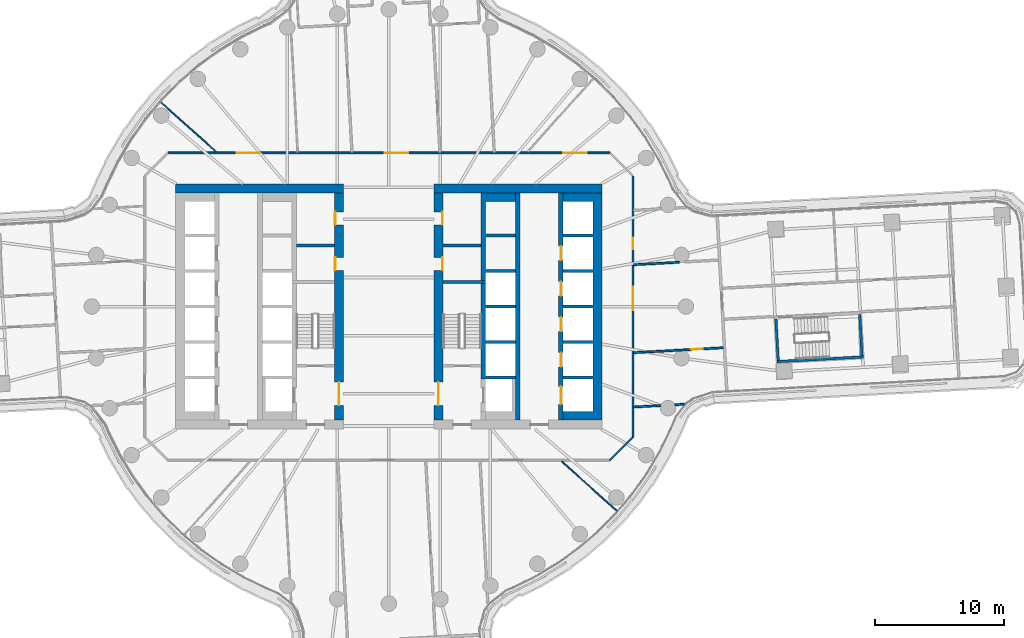
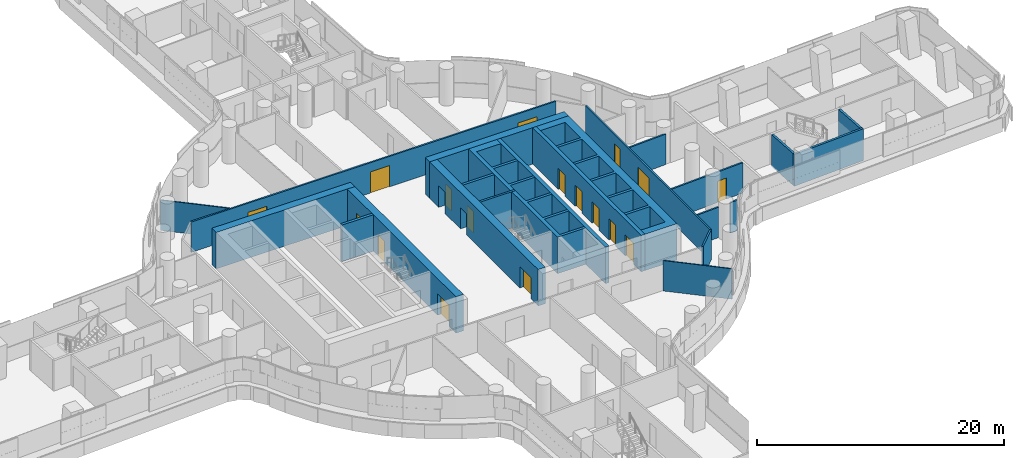
# One storey, part 21 of 31: 23 walls, 17 doors, 17 openings.
"""IFC4 building model written with IfcOpenShell, lengths in metres."""

from ifc_helpers import new_model, si_unit, direction, frame, frame_2d, origin, place, context, subcontext, project, spatial, polyline, rectangle, outline, extrude, material, layer, layer_set, type_object, element, fill, save


model = new_model("IFC4")

# Units and contexts
model_context = context("Model", 3, precision=1e-05, world=origin(), true_north=direction((0.0, 1.0)))
body_context = subcontext(model_context, "Body", "Model", "MODEL_VIEW")
ifc_project = project(units=[si_unit("LENGTHUNIT", "METRE"), si_unit("AREAUNIT", "SQUARE_METRE"), si_unit("VOLUMEUNIT", "CUBIC_METRE"), si_unit("PLANEANGLEUNIT", "RADIAN"), si_unit("MASSUNIT", "GRAM", prefix="KILO")], contexts=[model_context])

# Site, building, storey
site_placement = place(None, origin())
site = spatial("IfcSite", under=ifc_project, at=site_placement, CompositionType="ELEMENT")
building_placement = place(site_placement, origin())
building = spatial("IfcBuilding", under=site, at=building_placement, Name="Tamarind Cross Interchange Tower", CompositionType="ELEMENT")
storey_placement = place(building_placement, frame((0.0, 0.0, 45.25)))
storey = spatial("IfcBuildingStorey", under=building, at=storey_placement, Name="L09", CompositionType="ELEMENT", Elevation=45.25)

# Wall
ifc_material_1 = material(Name="Concrete C80", Category="concrete")
ifc_layer_1 = layer(ifc_material_1, 0.699951171875)
ifc_layer_set_1 = layer_set([ifc_layer_1], Name="Concrete C80")
wall_type_1 = type_object("IfcWallType", Name="Core wall 700 mm Concrete C80", PredefinedType="SHEAR", material=ifc_layer_set_1)
wall_1_placement = place(storey_placement, frame((-16.5, 9.14990234375, 0.0), z_axis=(0.0, 0.0, 1.0), x_axis=(1.0, 0.0, 0.0)))
element("IfcWall", 1, at=wall_1_placement, inside=storey, type_object=wall_type_1, Name="Core wall CWL-L09-W-NE", PredefinedType="SHEAR", context=body_context, shape_type="SweptSolid", body=[
    extrude(rectangle(XDim=13.0, YDim=0.699951171875, at=frame_2d((6.5, 0.0))), origin(), (0.0, 0.0, 1.0), 3.610107421875),
])

# Wall, openings, doors
wall_2_placement = place(storey_placement, frame((-3.85009765625, -8.800048828125, 0.0), z_axis=(0.0, 0.0, 1.0), x_axis=(0.0, 1.0, 0.0)))
wall_2 = element("IfcWall", 2, at=wall_2_placement, inside=storey, type_object=wall_type_1, Name="Core wall CWL-L09-W-IN", PredefinedType="SHEAR", context=body_context, shape_type="SweptSolid", body=[
    extrude(rectangle(XDim=17.60009765625, YDim=0.699951171875, at=frame_2d((8.800048828125, 0.0))), origin(), (0.0, 0.0, 1.0), 3.610107421875),
])
opening_1_placement = place(wall_2_placement, frame((1.14990234375, 0.0, 0.0)))
opening_1 = element("IfcOpeningElement", 3, at=opening_1_placement, cuts=wall_2, Name="Opening DCW4", PredefinedType="OPENING", context=body_context, shape_type="SweptSolid", body=[
    extrude(rectangle(XDim=1.800048828125, YDim=2.10009765625, at=frame_2d((0.89990234375, 1.050048828125))), frame((0.0, 0.35986328125, 0.0), z_axis=(0.0, -1.0, 0.0), x_axis=(1.0, 0.0, 0.0)), (0.0, 0.0, 1.0), 0.719970703125),
])
opening_2_placement = place(wall_2_placement, frame((11.597412109375, 0.0, 0.0)))
opening_2 = element("IfcOpeningElement", 4, at=opening_2_placement, cuts=wall_2, Name="Opening DCW5", PredefinedType="OPENING", context=body_context, shape_type="SweptSolid", body=[
    extrude(rectangle(XDim=1.0, YDim=2.10009765625, at=frame_2d((0.5, 1.050048828125))), frame((0.0, 0.35986328125, 0.0), z_axis=(0.0, -1.0, 0.0), x_axis=(1.0, 0.0, 0.0)), (0.0, 0.0, 1.0), 0.719970703125),
])
opening_3_placement = place(wall_2_placement, frame((15.12255859375, 0.0, 0.0)))
opening_3 = element("IfcOpeningElement", 5, at=opening_3_placement, cuts=wall_2, Name="Opening DCW5", PredefinedType="OPENING", context=body_context, shape_type="SweptSolid", body=[
    extrude(rectangle(XDim=1.0, YDim=2.10009765625, at=frame_2d((0.5, 1.050048828125))), frame((0.0, 0.35986328125, 0.0), z_axis=(0.0, -1.0, 0.0), x_axis=(1.0, 0.0, 0.0)), (0.0, 0.0, 1.0), 0.719970703125),
])
ifc_material_2 = material(Name="Steel, fire-resisting", Category="steel")
door_type_1 = type_object("IfcDoorType", Name="Core fire door 1000 x 2100 FD90", OperationType="SINGLE_SWING_LEFT", PredefinedType="DOOR", material=ifc_material_2)
door_1_placement = place(opening_2_placement, origin())
door_1 = element("IfcDoor", 6, at=door_1_placement, inside=storey, type_object=door_type_1, Name="L09 comms room door", OperationType="SINGLE_SWING_LEFT", OverallHeight=2.10009765625, OverallWidth=1.0, PredefinedType="DOOR", context=body_context, shape_type="SweptSolid", body=[
    extrude(rectangle(XDim=1.0, YDim=2.10009765625, at=frame_2d((0.5, 1.050048828125))), frame((0.0, 0.3251953125, 0.0), z_axis=(0.0, -1.0, 0.0), x_axis=(1.0, 0.0, 0.0)), (0.0, 0.0, 1.0), 0.050048828125),
])
fill(opening_2, door_1)
door_2_placement = place(opening_3_placement, origin())
door_2 = element("IfcDoor", 7, at=door_2_placement, inside=storey, type_object=door_type_1, Name="L09 cleaner's store door", OperationType="SINGLE_SWING_LEFT", OverallHeight=2.10009765625, OverallWidth=1.0, PredefinedType="DOOR", context=body_context, shape_type="SweptSolid", body=[
    extrude(rectangle(XDim=1.0, YDim=2.10009765625, at=frame_2d((0.5, 1.050048828125))), frame((0.0, 0.3251953125, 0.0), z_axis=(0.0, -1.0, 0.0), x_axis=(1.0, 0.0, 0.0)), (0.0, 0.0, 1.0), 0.050048828125),
])
fill(opening_3, door_2)
door_type_2 = type_object("IfcDoorType", Name="Core fire door 1800 x 2100 FD90", OperationType="SINGLE_SWING_LEFT", PredefinedType="DOOR", material=ifc_material_2)
door_3_placement = place(opening_1_placement, origin())
door_3 = element("IfcDoor", 8, at=door_3_placement, inside=storey, type_object=door_type_2, Name="L09 firefighting lobby door", OperationType="SINGLE_SWING_LEFT", OverallHeight=2.10009765625, OverallWidth=1.800048828125, PredefinedType="DOOR", context=body_context, shape_type="SweptSolid", body=[
    extrude(rectangle(XDim=1.800048828125, YDim=2.10009765625, at=frame_2d((0.89990234375, 1.050048828125))), frame((0.0, 0.02490234375, 0.0), z_axis=(0.0, -1.0, 0.0), x_axis=(1.0, 0.0, 0.0)), (0.0, 0.0, 1.0), 0.050048828125),
])
fill(opening_1, door_3)

# Walls
wall_3_placement = place(storey_placement, origin())
element("IfcWall", 9, at=wall_3_placement, inside=storey, type_object=wall_type_1, Name="Core wall CWL-L09-E-A", PredefinedType="SHEAR", context=body_context, shape_type="SweptSolid", body=[
    extrude(outline(polyline([(13.5, -8.800048828125), (15.800048828125, -8.800048828125), (16.5, -8.800048828125), (16.5, 8.800048828125), (15.800048828125, 8.800048828125), (13.5, 8.800048828125), (13.5, 8.125), (15.800048828125, 8.125), (15.800048828125, 5.625), (13.5, 5.625), (13.5, 5.375), (15.800048828125, 5.375), (15.800048828125, 2.875), (13.5, 2.875), (13.5, 2.625), (15.800048828125, 2.625), (15.800048828125, 0.125), (13.5, 0.125), (13.5, -0.125), (15.800048828125, -0.125), (15.800048828125, -2.625), (13.5, -2.625), (13.5, -2.875), (15.800048828125, -2.875), (15.800048828125, -5.375), (13.5, -5.375), (13.5, -5.625), (15.800048828125, -5.625), (15.800048828125, -8.125), (13.5, -8.125), (13.5, -8.800048828125)])), origin(), (0.0, 0.0, 1.0), 3.610107421875),
])
wall_4_placement = place(storey_placement, frame((16.5, 9.14990234375, 0.0), z_axis=(0.0, 0.0, 1.0), x_axis=(-1.0, 0.0, 0.0)))
element("IfcWall", 10, at=wall_4_placement, inside=storey, type_object=wall_type_1, Name="Core wall CWL-L09-E-NE", PredefinedType="SHEAR", context=body_context, shape_type="SweptSolid", body=[
    extrude(rectangle(XDim=13.0, YDim=0.699951171875, at=frame_2d((6.5, 0.0))), origin(), (0.0, 0.0, 1.0), 3.610107421875),
])

# Wall, openings, doors
wall_5_placement = place(storey_placement, frame((3.85009765625, -8.800048828125, 0.0), z_axis=(0.0, 0.0, 1.0), x_axis=(0.0, 1.0, 0.0)))
wall_5 = element("IfcWall", 11, at=wall_5_placement, inside=storey, type_object=wall_type_1, Name="Core wall CWL-L09-E-IN", PredefinedType="SHEAR", context=body_context, shape_type="SweptSolid", body=[
    extrude(rectangle(XDim=17.60009765625, YDim=0.699951171875, at=frame_2d((8.800048828125, 0.0))), origin(), (0.0, 0.0, 1.0), 3.610107421875),
])
opening_4_placement = place(wall_5_placement, frame((1.14990234375, 0.0, 0.0)))
opening_4 = element("IfcOpeningElement", 12, at=opening_4_placement, cuts=wall_5, Name="Opening DCE4", PredefinedType="OPENING", context=body_context, shape_type="SweptSolid", body=[
    extrude(rectangle(XDim=1.800048828125, YDim=2.10009765625, at=frame_2d((0.89990234375, 1.050048828125))), frame((0.0, 0.35986328125, 0.0), z_axis=(0.0, -1.0, 0.0), x_axis=(1.0, 0.0, 0.0)), (0.0, 0.0, 1.0), 0.719970703125),
])
opening_5_placement = place(wall_5_placement, frame((11.597412109375, 0.0, 0.0)))
opening_5 = element("IfcOpeningElement", 13, at=opening_5_placement, cuts=wall_5, Name="Opening DCE5", PredefinedType="OPENING", context=body_context, shape_type="SweptSolid", body=[
    extrude(rectangle(XDim=1.0, YDim=2.10009765625, at=frame_2d((0.5, 1.050048828125))), frame((0.0, 0.35986328125, 0.0), z_axis=(0.0, -1.0, 0.0), x_axis=(1.0, 0.0, 0.0)), (0.0, 0.0, 1.0), 0.719970703125),
])
opening_6_placement = place(wall_5_placement, frame((15.12255859375, 0.0, 0.0)))
opening_6 = element("IfcOpeningElement", 14, at=opening_6_placement, cuts=wall_5, Name="Opening DCE5", PredefinedType="OPENING", context=body_context, shape_type="SweptSolid", body=[
    extrude(rectangle(XDim=1.0, YDim=2.10009765625, at=frame_2d((0.5, 1.050048828125))), frame((0.0, 0.35986328125, 0.0), z_axis=(0.0, -1.0, 0.0), x_axis=(1.0, 0.0, 0.0)), (0.0, 0.0, 1.0), 0.719970703125),
])
door_4_placement = place(opening_5_placement, origin())
door_4 = element("IfcDoor", 15, at=door_4_placement, inside=storey, type_object=door_type_1, Name="L09 comms room door", OperationType="SINGLE_SWING_LEFT", OverallHeight=2.10009765625, OverallWidth=1.0, PredefinedType="DOOR", context=body_context, shape_type="SweptSolid", body=[
    extrude(rectangle(XDim=1.0, YDim=2.10009765625, at=frame_2d((0.5, 1.050048828125))), frame((0.0, -0.27490234375, 0.0), z_axis=(0.0, -1.0, 0.0), x_axis=(1.0, 0.0, 0.0)), (0.0, 0.0, 1.0), 0.050048828125),
])
fill(opening_5, door_4)
door_5_placement = place(opening_6_placement, origin())
door_5 = element("IfcDoor", 16, at=door_5_placement, inside=storey, type_object=door_type_1, Name="L09 cleaner's store door", OperationType="SINGLE_SWING_LEFT", OverallHeight=2.10009765625, OverallWidth=1.0, PredefinedType="DOOR", context=body_context, shape_type="SweptSolid", body=[
    extrude(rectangle(XDim=1.0, YDim=2.10009765625, at=frame_2d((0.5, 1.050048828125))), frame((0.0, -0.27490234375, 0.0), z_axis=(0.0, -1.0, 0.0), x_axis=(1.0, 0.0, 0.0)), (0.0, 0.0, 1.0), 0.050048828125),
])
fill(opening_6, door_5)
door_6_placement = place(opening_4_placement, origin())
door_6 = element("IfcDoor", 17, at=door_6_placement, inside=storey, type_object=door_type_2, Name="L09 firefighting lobby door", OperationType="SINGLE_SWING_LEFT", OverallHeight=2.10009765625, OverallWidth=1.800048828125, PredefinedType="DOOR", context=body_context, shape_type="SweptSolid", body=[
    extrude(rectangle(XDim=1.800048828125, YDim=2.10009765625, at=frame_2d((0.89990234375, 1.050048828125))), frame((0.0, 0.02490234375, 0.0), z_axis=(0.0, -1.0, 0.0), x_axis=(1.0, 0.0, 0.0)), (0.0, 0.0, 1.0), 0.050048828125),
])
fill(opening_4, door_6)

# Walls
ifc_layer_2 = layer(ifc_material_1, 0.199951171875)
ifc_layer_set_2 = layer_set([ifc_layer_2], Name="Concrete C80")
wall_type_2 = type_object("IfcWallType", Name="Core web wall 200 mm Concrete C80", PredefinedType="SHEAR", material=ifc_layer_set_2)
wall_6_placement = place(storey_placement, frame((7.5, 1.89990234375, 0.0), z_axis=(0.0, 0.0, 1.0), x_axis=(-1.0, 0.0, 0.0)))
element("IfcWall", 18, at=wall_6_placement, inside=storey, type_object=wall_type_2, Name="Core wall CWL-L09-E-BD", PredefinedType="SHEAR", context=body_context, shape_type="SweptSolid", body=[
    extrude(rectangle(XDim=3.300048828125, YDim=0.199951171875, at=frame_2d((1.64990234375, 0.0))), origin(), (0.0, 0.0, 1.0), 3.610107421875),
])
ifc_layer_3 = layer(ifc_material_1, 0.35009765625)
ifc_layer_set_3 = layer_set([ifc_layer_3], Name="Concrete C80")
wall_type_3 = type_object("IfcWallType", Name="Core web wall 350 mm Concrete C80", PredefinedType="SHEAR", material=ifc_layer_set_3)
wall_7_placement = place(storey_placement, origin())
element("IfcWall", 19, at=wall_7_placement, inside=storey, type_object=wall_type_3, Name="Core wall CWL-L09-E-BN", PredefinedType="SHEAR", context=body_context, shape_type="SweptSolid", body=[
    extrude(outline(polyline([(9.800048828125, -5.375), (7.5, -5.375), (7.5, -2.875), (9.800048828125, -2.875), (9.800048828125, -2.625), (7.5, -2.625), (7.5, -0.125), (9.800048828125, -0.125), (9.800048828125, 0.125), (7.5, 0.125), (7.5, 2.625), (9.800048828125, 2.625), (9.800048828125, 2.875), (7.5, 2.875), (7.5, 5.375), (9.800048828125, 5.375), (9.800048828125, 5.625), (7.5, 5.625), (7.5, 8.125), (9.800048828125, 8.125), (9.800048828125, 8.800048828125), (7.5, 8.800048828125), (7.14990234375, 8.800048828125), (7.14990234375, -5.625), (7.5, -5.625), (9.800048828125, -5.625), (9.800048828125, -5.375)])), origin(), (0.0, 0.0, 1.0), 3.610107421875),
])

# Wall, openings, doors
wall_8_placement = place(storey_placement, frame((13.324951171875, -8.800048828125, 0.0), z_axis=(0.0, 0.0, 1.0), x_axis=(0.0, 1.0, 0.0)))
wall_8 = element("IfcWall", 20, at=wall_8_placement, inside=storey, type_object=wall_type_3, Name="Core wall CWL-L09-E-LA", PredefinedType="SHEAR", context=body_context, shape_type="SweptSolid", body=[
    extrude(rectangle(XDim=17.60009765625, YDim=0.35009765625, at=frame_2d((8.800048828125, 0.0))), origin(), (0.0, 0.0, 1.0), 3.610107421875),
])
opening_7_placement = place(wall_8_placement, frame((1.22509765625, 0.0, 0.0)))
opening_7 = element("IfcOpeningElement", 21, at=opening_7_placement, cuts=wall_8, Name="Opening LD13L09", PredefinedType="OPENING", context=body_context, shape_type="SweptSolid", body=[
    extrude(rectangle(XDim=1.39990234375, YDim=2.10009765625, at=frame_2d((0.699951171875, 1.050048828125))), frame((0.0, 0.18505859375, 0.0), z_axis=(0.0, -1.0, 0.0), x_axis=(1.0, 0.0, 0.0)), (0.0, 0.0, 1.0), 0.3701171875),
])
opening_8_placement = place(wall_8_placement, frame((4.125, 0.0, 0.0)))
opening_8 = element("IfcOpeningElement", 22, at=opening_8_placement, cuts=wall_8, Name="Opening LD14L09", PredefinedType="OPENING", context=body_context, shape_type="SweptSolid", body=[
    extrude(rectangle(XDim=1.10009765625, YDim=2.10009765625, at=frame_2d((0.550048828125, 1.050048828125))), frame((0.0, 0.18505859375, 0.0), z_axis=(0.0, -1.0, 0.0), x_axis=(1.0, 0.0, 0.0)), (0.0, 0.0, 1.0), 0.3701171875),
])
opening_9_placement = place(wall_8_placement, frame((6.875, 0.0, 0.0)))
opening_9 = element("IfcOpeningElement", 23, at=opening_9_placement, cuts=wall_8, Name="Opening LD15L09", PredefinedType="OPENING", context=body_context, shape_type="SweptSolid", body=[
    extrude(rectangle(XDim=1.10009765625, YDim=2.10009765625, at=frame_2d((0.550048828125, 1.050048828125))), frame((0.0, 0.18505859375, 0.0), z_axis=(0.0, -1.0, 0.0), x_axis=(1.0, 0.0, 0.0)), (0.0, 0.0, 1.0), 0.3701171875),
])
opening_10_placement = place(wall_8_placement, frame((9.625, 0.0, 0.0)))
opening_10 = element("IfcOpeningElement", 24, at=opening_10_placement, cuts=wall_8, Name="Opening LD16L09", PredefinedType="OPENING", context=body_context, shape_type="SweptSolid", body=[
    extrude(rectangle(XDim=1.10009765625, YDim=2.10009765625, at=frame_2d((0.550048828125, 1.050048828125))), frame((0.0, 0.18505859375, 0.0), z_axis=(0.0, -1.0, 0.0), x_axis=(1.0, 0.0, 0.0)), (0.0, 0.0, 1.0), 0.3701171875),
])
opening_11_placement = place(wall_8_placement, frame((12.375, 0.0, 0.0)))
opening_11 = element("IfcOpeningElement", 25, at=opening_11_placement, cuts=wall_8, Name="Opening LD17L09", PredefinedType="OPENING", context=body_context, shape_type="SweptSolid", body=[
    extrude(rectangle(XDim=1.10009765625, YDim=2.10009765625, at=frame_2d((0.550048828125, 1.050048828125))), frame((0.0, 0.18505859375, 0.0), z_axis=(0.0, -1.0, 0.0), x_axis=(1.0, 0.0, 0.0)), (0.0, 0.0, 1.0), 0.3701171875),
])
ifc_material_3 = material(Name="Stainless steel panel", Category="steel")
door_type_3 = type_object("IfcDoorType", Name="Lift landing door 1100 x 2100 E 120", OperationType="SLIDING_TO_LEFT", PredefinedType="DOOR", material=ifc_material_3)
door_7_placement = place(opening_8_placement, origin())
door_7 = element("IfcDoor", 26, at=door_7_placement, inside=storey, type_object=door_type_3, Name="L09 landing door LF14", OperationType="SLIDING_TO_LEFT", OverallHeight=2.10009765625, OverallWidth=1.10009765625, PredefinedType="DOOR", context=body_context, shape_type="SweptSolid", body=[
    extrude(rectangle(XDim=1.10009765625, YDim=2.10009765625, at=frame_2d((0.550048828125, 1.050048828125))), frame((0.0, 0.02490234375, 0.0), z_axis=(0.0, -1.0, 0.0), x_axis=(1.0, 0.0, 0.0)), (0.0, 0.0, 1.0), 0.050048828125),
])
fill(opening_8, door_7)
door_8_placement = place(opening_9_placement, origin())
door_8 = element("IfcDoor", 27, at=door_8_placement, inside=storey, type_object=door_type_3, Name="L09 landing door LF15", OperationType="SLIDING_TO_LEFT", OverallHeight=2.10009765625, OverallWidth=1.10009765625, PredefinedType="DOOR", context=body_context, shape_type="SweptSolid", body=[
    extrude(rectangle(XDim=1.10009765625, YDim=2.10009765625, at=frame_2d((0.550048828125, 1.050048828125))), frame((0.0, 0.02490234375, 0.0), z_axis=(0.0, -1.0, 0.0), x_axis=(1.0, 0.0, 0.0)), (0.0, 0.0, 1.0), 0.050048828125),
])
fill(opening_9, door_8)
door_9_placement = place(opening_10_placement, origin())
door_9 = element("IfcDoor", 28, at=door_9_placement, inside=storey, type_object=door_type_3, Name="L09 landing door LF16", OperationType="SLIDING_TO_LEFT", OverallHeight=2.10009765625, OverallWidth=1.10009765625, PredefinedType="DOOR", context=body_context, shape_type="SweptSolid", body=[
    extrude(rectangle(XDim=1.10009765625, YDim=2.10009765625, at=frame_2d((0.550048828125, 1.050048828125))), frame((0.0, 0.02490234375, 0.0), z_axis=(0.0, -1.0, 0.0), x_axis=(1.0, 0.0, 0.0)), (0.0, 0.0, 1.0), 0.050048828125),
])
fill(opening_10, door_9)
door_10_placement = place(opening_11_placement, origin())
door_10 = element("IfcDoor", 29, at=door_10_placement, inside=storey, type_object=door_type_3, Name="L09 landing door LF17", OperationType="SLIDING_TO_LEFT", OverallHeight=2.10009765625, OverallWidth=1.10009765625, PredefinedType="DOOR", context=body_context, shape_type="SweptSolid", body=[
    extrude(rectangle(XDim=1.10009765625, YDim=2.10009765625, at=frame_2d((0.550048828125, 1.050048828125))), frame((0.0, 0.02490234375, 0.0), z_axis=(0.0, -1.0, 0.0), x_axis=(1.0, 0.0, 0.0)), (0.0, 0.0, 1.0), 0.050048828125),
])
fill(opening_11, door_10)
door_type_4 = type_object("IfcDoorType", Name="Lift landing door 1400 x 2100 E 120", OperationType="SLIDING_TO_LEFT", PredefinedType="DOOR", material=ifc_material_3)
door_11_placement = place(opening_7_placement, origin())
door_11 = element("IfcDoor", 30, at=door_11_placement, inside=storey, type_object=door_type_4, Name="L09 landing door LF13", OperationType="SLIDING_TO_LEFT", OverallHeight=2.10009765625, OverallWidth=1.39990234375, PredefinedType="DOOR", context=body_context, shape_type="SweptSolid", body=[
    extrude(rectangle(XDim=1.39990234375, YDim=2.10009765625, at=frame_2d((0.699951171875, 1.050048828125))), frame((0.0, 0.02490234375, 0.0), z_axis=(0.0, -1.0, 0.0), x_axis=(1.0, 0.0, 0.0)), (0.0, 0.0, 1.0), 0.050048828125),
])
fill(opening_7, door_11)

# Walls
wall_9_placement = place(storey_placement, frame((9.97509765625, -8.800048828125, 0.0), z_axis=(0.0, 0.0, 1.0), x_axis=(0.0, 1.0, 0.0)))
element("IfcWall", 31, at=wall_9_placement, inside=storey, type_object=wall_type_3, Name="Core wall CWL-L09-E-LB", PredefinedType="SHEAR", context=body_context, shape_type="SweptSolid", body=[
    extrude(rectangle(XDim=17.60009765625, YDim=0.35009765625, at=frame_2d((8.800048828125, 0.0))), origin(), (0.0, 0.0, 1.0), 3.610107421875),
])
ifc_material_4 = material(Name="Gypsum board partition on steel studs", Category="steel")
ifc_layer_4 = layer(ifc_material_4, 0.10009765625)
ifc_layer_set_4 = layer_set([ifc_layer_4], Name="Gypsum board partition on steel studs")
wall_type_4 = type_object("IfcWallType", Name="Partition 100 mm EI 120", PredefinedType="PARTITIONING", material=ifc_layer_set_4)
for number, where, z_axis, x_axis, name in (
    (32, (-17.639892578125, 15.80810546875, 0.0), (0.0, 0.0, 1.0), (0.74470485746, -0.667393943092, 0.0), "Partition L09-032"),
    (33, (13.38330078125, -11.993408203125, 0.0), (0.0, 0.0, 1.0), (0.74470485746, -0.667393943092, 0.0), "Partition L09-033"),
):
    element("IfcWall", number, at=place(storey_placement, frame(where, z_axis=z_axis, x_axis=x_axis)), inside=storey, type_object=wall_type_4, Name=name, PredefinedType="PARTITIONING", context=body_context, shape_type="SweptSolid", body=[
        extrude(rectangle(XDim=5.7158203125, YDim=0.10009765625, at=frame_2d((2.85791015625, 0.0))), origin(), (0.0, 0.0, 1.0), 3.010009765625),
    ])

# Wall, openings, doors
ifc_layer_5 = layer(ifc_material_4, 0.14990234375)
ifc_layer_set_5 = layer_set([ifc_layer_5], Name="Gypsum board partition on steel studs")
wall_type_5 = type_object("IfcWallType", Name="Partition 150 mm EI 120", PredefinedType="PARTITIONING", material=ifc_layer_set_5)
wall_10_placement = place(storey_placement, frame((-17.06494140625, 11.89990234375, 0.0), z_axis=(0.0, 0.0, 1.0), x_axis=(1.0, 0.0, 0.0)))
wall_10 = element("IfcWall", 34, at=wall_10_placement, inside=storey, type_object=wall_type_5, Name="Partition L09-035", PredefinedType="PARTITIONING", context=body_context, shape_type="SweptSolid", body=[
    extrude(rectangle(XDim=34.1650390625, YDim=0.14990234375, at=frame_2d((17.08251953125, 0.0))), origin(), (0.0, 0.0, 1.0), 3.010009765625),
])
opening_12_placement = place(wall_10_placement, frame((16.762939453125, 0.0, 0.0)))
opening_12 = element("IfcOpeningElement", 35, at=opening_12_placement, cuts=wall_10, Name="Opening D21", PredefinedType="OPENING", context=body_context, shape_type="SweptSolid", body=[
    extrude(rectangle(XDim=1.800048828125, YDim=2.10009765625, at=frame_2d((0.89990234375, 1.050048828125))), frame((0.0, 0.0849609375, 0.0), z_axis=(0.0, -1.0, 0.0), x_axis=(1.0, 0.0, 0.0)), (0.0, 0.0, 1.0), 0.169921875),
])
opening_13_placement = place(wall_10_placement, frame((30.5791015625, 0.0, 0.0)))
opening_13 = element("IfcOpeningElement", 36, at=opening_13_placement, cuts=wall_10, Name="Opening D22", PredefinedType="OPENING", context=body_context, shape_type="SweptSolid", body=[
    extrude(rectangle(XDim=1.800048828125, YDim=2.10009765625, at=frame_2d((0.89990234375, 1.050048828125))), frame((0.0, 0.0849609375, 0.0), z_axis=(0.0, -1.0, 0.0), x_axis=(1.0, 0.0, 0.0)), (0.0, 0.0, 1.0), 0.169921875),
])
opening_14_placement = place(wall_10_placement, frame((5.285888671875, 0.0, 0.0)))
opening_14 = element("IfcOpeningElement", 37, at=opening_14_placement, cuts=wall_10, Name="Opening D23", PredefinedType="OPENING", context=body_context, shape_type="SweptSolid", body=[
    extrude(rectangle(XDim=1.800048828125, YDim=2.10009765625, at=frame_2d((0.89990234375, 1.050048828125))), frame((0.0, 0.0849609375, 0.0), z_axis=(0.0, -1.0, 0.0), x_axis=(1.0, 0.0, 0.0)), (0.0, 0.0, 1.0), 0.169921875),
])
ifc_material_5 = material(Name="Fire-resisting door set")
door_type_5 = type_object("IfcDoorType", Name="Interior door 1800 x 2100 FD60S", OperationType="DOUBLE_DOOR_SINGLE_SWING", PredefinedType="DOOR", material=ifc_material_5)
door_12_placement = place(opening_12_placement, frame((1.800048828125, 0.0, 0.0), z_axis=(0.0, 0.0, 1.0), x_axis=(-1.0, 0.0, 0.0)))
door_12 = element("IfcDoor", 38, at=door_12_placement, inside=storey, type_object=door_type_5, Name="Door D21", OperationType="DOUBLE_DOOR_SINGLE_SWING", OverallHeight=2.10009765625, OverallWidth=1.800048828125, PredefinedType="DOOR", context=body_context, shape_type="SweptSolid", body=[
    extrude(rectangle(XDim=1.800048828125, YDim=2.10009765625, at=frame_2d((0.89990234375, 1.050048828125))), frame((0.0, 0.02490234375, 0.0), z_axis=(0.0, -1.0, 0.0), x_axis=(1.0, 0.0, 0.0)), (0.0, 0.0, 1.0), 0.050048828125),
])
fill(opening_12, door_12)
door_13_placement = place(opening_13_placement, origin())
door_13 = element("IfcDoor", 39, at=door_13_placement, inside=storey, type_object=door_type_5, Name="Door D22", OperationType="DOUBLE_DOOR_SINGLE_SWING", OverallHeight=2.10009765625, OverallWidth=1.800048828125, PredefinedType="DOOR", context=body_context, shape_type="SweptSolid", body=[
    extrude(rectangle(XDim=1.800048828125, YDim=2.10009765625, at=frame_2d((0.89990234375, 1.050048828125))), frame((0.0, 0.02490234375, 0.0), z_axis=(0.0, -1.0, 0.0), x_axis=(1.0, 0.0, 0.0)), (0.0, 0.0, 1.0), 0.050048828125),
])
fill(opening_13, door_13)
door_14_placement = place(opening_14_placement, origin())
door_14 = element("IfcDoor", 40, at=door_14_placement, inside=storey, type_object=door_type_5, Name="Door D23", OperationType="DOUBLE_DOOR_SINGLE_SWING", OverallHeight=2.10009765625, OverallWidth=1.800048828125, PredefinedType="DOOR", context=body_context, shape_type="SweptSolid", body=[
    extrude(rectangle(XDim=1.800048828125, YDim=2.10009765625, at=frame_2d((0.89990234375, 1.050048828125))), frame((0.0, 0.02490234375, 0.0), z_axis=(0.0, -1.0, 0.0), x_axis=(1.0, 0.0, 0.0)), (0.0, 0.0, 1.0), 0.050048828125),
])
fill(opening_14, door_14)

# Wall, opening, door
wall_11_placement = place(storey_placement, frame((18.9599609375, -3.57177734375, 0.0), z_axis=(0.0, 0.0, 1.0), x_axis=(0.998500993822, 0.054733585091, 0.0)))
wall_11 = element("IfcWall", 41, at=wall_11_placement, inside=storey, type_object=wall_type_5, Name="Partition L09-062", PredefinedType="PARTITIONING", context=body_context, shape_type="SweptSolid", body=[
    extrude(rectangle(XDim=6.940673828125, YDim=0.14990234375, at=frame_2d((3.47021484375, 0.0))), origin(), (0.0, 0.0, 1.0), 3.010009765625),
])
opening_15_placement = place(wall_11_placement, frame((4.43994140625, 0.0, 0.0)))
opening_15 = element("IfcOpeningElement", 42, at=opening_15_placement, cuts=wall_11, Name="Opening D35", PredefinedType="OPENING", context=body_context, shape_type="SweptSolid", body=[
    extrude(rectangle(XDim=0.89990234375, YDim=2.10009765625, at=frame_2d((0.449951171875, 1.050048828125))), frame((0.0, 0.0849609375, 0.0), z_axis=(0.0, -1.0, 0.0), x_axis=(1.0, 0.0, 0.0)), (0.0, 0.0, 1.0), 0.169921875),
])
door_type_6 = type_object("IfcDoorType", Name="Interior door 900 x 2100 FD60S", OperationType="SINGLE_SWING_LEFT", PredefinedType="DOOR", material=ifc_material_5)
door_15_placement = place(opening_15_placement, frame((0.89990234375, 0.0, 0.0), z_axis=(0.0, 0.0, 1.0), x_axis=(-1.0, 0.0, 0.0)))
door_15 = element("IfcDoor", 43, at=door_15_placement, inside=storey, type_object=door_type_6, Name="Door D35", OperationType="SINGLE_SWING_RIGHT", OverallHeight=2.10009765625, OverallWidth=0.89990234375, PredefinedType="DOOR", context=body_context, shape_type="SweptSolid", body=[
    extrude(rectangle(XDim=0.89990234375, YDim=2.10009765625, at=frame_2d((0.449951171875, 1.050048828125))), frame((0.0, 0.02490234375, 0.0), z_axis=(0.0, -1.0, 0.0), x_axis=(1.0, 0.0, 0.0)), (0.0, 0.0, 1.0), 0.050048828125),
])
fill(opening_15, door_15)

# Walls
wall_12_placement = place(storey_placement, frame((18.9599609375, 3.23828125, 0.0), z_axis=(0.0, 0.0, 1.0), x_axis=(0.998497685075, 0.054793912976, 0.0)))
element("IfcWall", 44, at=wall_12_placement, inside=storey, type_object=wall_type_5, Name="Partition L09-063", PredefinedType="PARTITIONING", context=body_context, shape_type="SweptSolid", body=[
    extrude(rectangle(XDim=3.52001953125, YDim=0.14990234375, at=frame_2d((1.760009765625, 0.0))), origin(), (0.0, 0.0, 1.0), 3.010009765625),
])
wall_13_placement = place(storey_placement, frame((18.9599609375, -7.777587890625, 0.0), z_axis=(0.0, 0.0, 1.0), x_axis=(0.998507192327, 0.05462038878, 0.0)))
element("IfcWall", 45, at=wall_13_placement, inside=storey, type_object=wall_type_5, Name="Partition L09-067", PredefinedType="PARTITIONING", context=body_context, shape_type="SweptSolid", body=[
    extrude(rectangle(XDim=2.100830078125, YDim=0.14990234375, at=frame_2d((1.05029296875, 0.0))), origin(), (0.0, 0.0, 1.0), 3.010009765625),
])
wall_14_placement = place(storey_placement, frame((22.15234375, -7.60302734375, 0.0), z_axis=(0.0, 0.0, 1.0), x_axis=(0.998515707931, 0.05446449316, 0.0)))
element("IfcWall", 46, at=wall_14_placement, inside=storey, type_object=wall_type_5, Name="Partition L09-068", PredefinedType="PARTITIONING", context=body_context, shape_type="SweptSolid", body=[
    extrude(rectangle(XDim=0.712646484375, YDim=0.14990234375, at=frame_2d((0.3564453125, 0.0))), origin(), (0.0, 0.0, 1.0), 3.010009765625),
])
wall_15_placement = place(storey_placement, frame((17.10009765625, -11.89990234375, 0.0), z_axis=(0.0, 0.0, 1.0), x_axis=(0.707106781187, 0.707106781187, 0.0)))
element("IfcWall", 47, at=wall_15_placement, inside=storey, type_object=wall_type_5, Name="Partition L09-072", PredefinedType="PARTITIONING", context=body_context, shape_type="SweptSolid", body=[
    extrude(rectangle(XDim=2.50537109375, YDim=0.14990234375, at=frame_2d((1.252685546875, 0.0))), origin(), (0.0, 0.0, 1.0), 3.010009765625),
])

# Wall, openings, doors
wall_16_placement = place(storey_placement, frame((18.89990234375, -10.10009765625, 0.0), z_axis=(0.0, 0.0, 1.0), x_axis=(0.0, 1.0, 0.0)))
wall_16 = element("IfcWall", 48, at=wall_16_placement, inside=storey, type_object=wall_type_5, Name="Partition L09-076", PredefinedType="PARTITIONING", context=body_context, shape_type="SweptSolid", body=[
    extrude(rectangle(XDim=20.2001953125, YDim=0.14990234375, at=frame_2d((10.10009765625, 0.0))), origin(), (0.0, 0.0, 1.0), 3.010009765625),
])
opening_16_placement = place(wall_16_placement, frame((9.824951171875, 0.0, 0.0)))
opening_16 = element("IfcOpeningElement", 49, at=opening_16_placement, cuts=wall_16, Name="Opening D39", PredefinedType="OPENING", context=body_context, shape_type="SweptSolid", body=[
    extrude(rectangle(XDim=1.800048828125, YDim=2.10009765625, at=frame_2d((0.89990234375, 1.050048828125))), frame((0.0, 0.0849609375, 0.0), z_axis=(0.0, -1.0, 0.0), x_axis=(1.0, 0.0, 0.0)), (0.0, 0.0, 1.0), 0.169921875),
])
opening_17_placement = place(wall_16_placement, frame((14.534912109375, 0.0, 0.0)))
opening_17 = element("IfcOpeningElement", 50, at=opening_17_placement, cuts=wall_16, Name="Opening D40", PredefinedType="OPENING", context=body_context, shape_type="SweptSolid", body=[
    extrude(rectangle(XDim=0.89990234375, YDim=2.10009765625, at=frame_2d((0.449951171875, 1.050048828125))), frame((0.0, 0.0849609375, 0.0), z_axis=(0.0, -1.0, 0.0), x_axis=(1.0, 0.0, 0.0)), (0.0, 0.0, 1.0), 0.169921875),
])
door_16_placement = place(opening_16_placement, origin())
door_16 = element("IfcDoor", 51, at=door_16_placement, inside=storey, type_object=door_type_5, Name="Door D39", OperationType="DOUBLE_DOOR_SINGLE_SWING", OverallHeight=2.10009765625, OverallWidth=1.800048828125, PredefinedType="DOOR", context=body_context, shape_type="SweptSolid", body=[
    extrude(rectangle(XDim=1.800048828125, YDim=2.10009765625, at=frame_2d((0.89990234375, 1.050048828125))), frame((0.0, 0.02490234375, 0.0), z_axis=(0.0, -1.0, 0.0), x_axis=(1.0, 0.0, 0.0)), (0.0, 0.0, 1.0), 0.050048828125),
])
fill(opening_16, door_16)
door_17_placement = place(opening_17_placement, frame((0.89990234375, 0.0, 0.0), z_axis=(0.0, 0.0, 1.0), x_axis=(-1.0, 0.0, 0.0)))
door_17 = element("IfcDoor", 52, at=door_17_placement, inside=storey, type_object=door_type_6, Name="Door D40", OperationType="SINGLE_SWING_RIGHT", OverallHeight=2.10009765625, OverallWidth=0.89990234375, PredefinedType="DOOR", context=body_context, shape_type="SweptSolid", body=[
    extrude(rectangle(XDim=0.89990234375, YDim=2.10009765625, at=frame_2d((0.449951171875, 1.050048828125))), frame((0.0, 0.02490234375, 0.0), z_axis=(0.0, -1.0, 0.0), x_axis=(1.0, 0.0, 0.0)), (0.0, 0.0, 1.0), 0.050048828125),
])
fill(opening_17, door_17)

# Walls
ifc_material_6 = material(Name="Concrete C40", Category="concrete")
ifc_layer_6 = layer(ifc_material_6, 0.25)
ifc_layer_set_6 = layer_set([ifc_layer_6], Name="Concrete C40")
wall_type_6 = type_object("IfcWallType", Name="Shaft and lobby wall 250 mm Concrete C40", PredefinedType="PARTITIONING", material=ifc_layer_set_6)
for number, where, z_axis, x_axis, name in (
    (53, (-7.14990234375, 4.719970703125, 0.0), (0.0, 0.0, 1.0), (1.0, 0.0, 0.0), "Shaft wall CWL-L09-W-SVP"),
    (54, (7.14990234375, 4.719970703125, 0.0), (0.0, 0.0, 1.0), (-1.0, 0.0, 0.0), "Shaft wall CWL-L09-E-SVP"),
):
    element("IfcWall", number, at=place(storey_placement, frame(where, z_axis=z_axis, x_axis=x_axis)), inside=storey, type_object=wall_type_6, Name=name, PredefinedType="PARTITIONING", context=body_context, shape_type="SweptSolid", body=[
        extrude(rectangle(XDim=2.949951171875, YDim=0.25, at=frame_2d((1.47509765625, 0.0))), origin(), (0.0, 0.0, 1.0), 3.610107421875),
    ])
ifc_layer_7 = layer(ifc_material_6, 0.199951171875)
ifc_layer_set_7 = layer_set([ifc_layer_7], Name="Concrete C40")
wall_type_7 = type_object("IfcWallType", Name="Stair shaft wall 200 mm Concrete C40", PredefinedType="SHEAR", material=ifc_layer_set_7)
wall_17_placement = place(storey_placement, frame((30.04541015625, -4.2666015625, -0.139892578125), z_axis=(0.0, 0.0, 1.0), x_axis=(0.9985031066, 0.05469502821, 0.0)))
element("IfcWall", 55, at=wall_17_placement, inside=storey, type_object=wall_type_7, Name="Core wall CWL-L09-ST3-C", PredefinedType="SHEAR", context=body_context, shape_type="SweptSolid", body=[
    extrude(rectangle(XDim=6.699951171875, YDim=0.199951171875, at=frame_2d((3.35009765625, 0.0))), origin(), (0.0, 0.0, 1.0), 3.14990234375),
])
wall_18_placement = place(storey_placement, frame((30.1396484375, -4.1611328125, -0.139892578125), z_axis=(0.0, 0.0, 1.0), x_axis=(-0.054700985136, 0.998502780279, 0.0)))
element("IfcWall", 56, at=wall_18_placement, inside=storey, type_object=wall_type_7, Name="Core wall CWL-L09-ST3-CE", PredefinedType="SHEAR", context=body_context, shape_type="SweptSolid", body=[
    extrude(rectangle(XDim=3.2001953125, YDim=0.199951171875, at=frame_2d((1.60009765625, 0.0))), origin(), (0.0, 0.0, 1.0), 3.14990234375),
])
wall_19_placement = place(storey_placement, frame((0.0, 0.0, -0.139892578125)))
element("IfcWall", 57, at=wall_19_placement, inside=storey, type_object=wall_type_7, Name="Core wall CWL-L09-ST3-CF", PredefinedType="SHEAR", context=body_context, shape_type="SweptSolid", body=[
    extrude(outline(polyline([(36.530029296875, -3.811279296875), (36.729736328125, -3.80029296875), (36.554931640625, -0.60498046875), (36.355224609375, -0.615966796875), (36.530029296875, -3.811279296875)])), origin(), (0.0, 0.0, 1.0), 3.14990234375),
])

save(model, "model.ifc")
